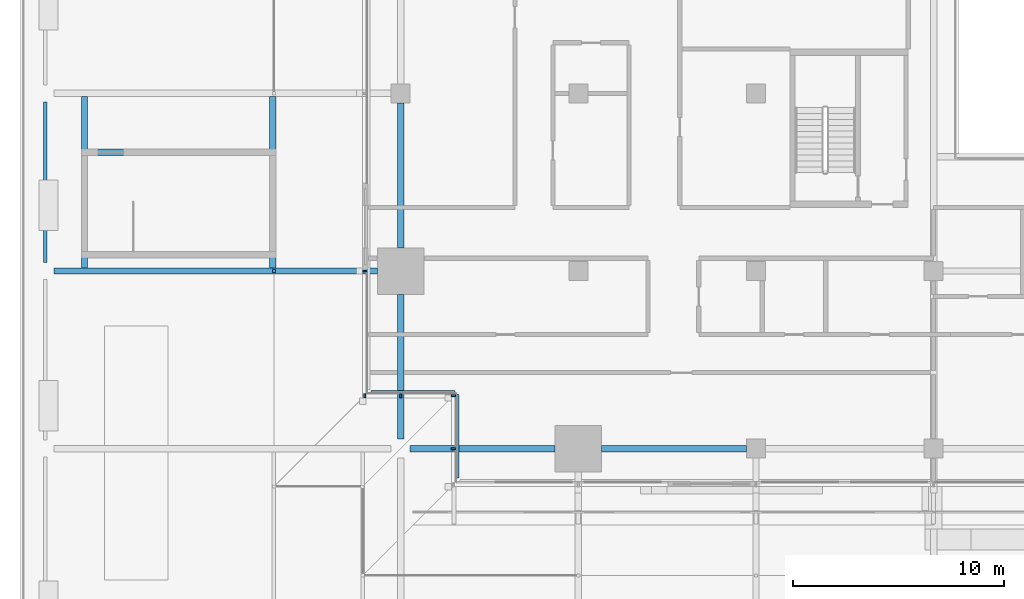
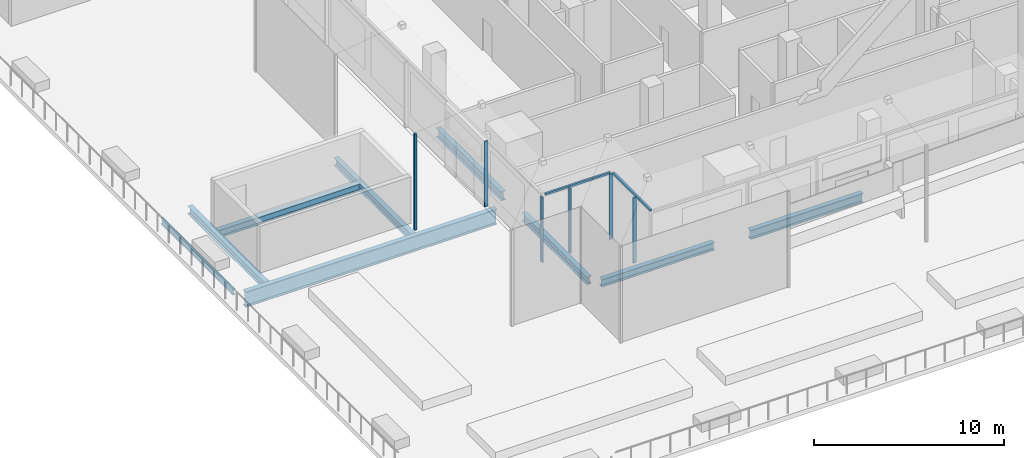
# One storey, part 3 of 60: 9 beams, 8 members, 3 elements without a shape of their own.
"""IFC4 building model written with IfcOpenShell, lengths in metres."""

from ifc_helpers import new_model, si_unit, direction, frame, origin, origin_2d, place, context, subcontext, project, spatial, rectangle, i_section, extrude, material, material_profile, profile_set, type_object, element, aggregate, save


model = new_model("IFC4")

# Units and contexts
model_context = context("Model", 3, precision=1e-05, world=origin(), true_north=direction((0.0, 1.0)))
body_context = subcontext(model_context, "Body", "Model", "MODEL_VIEW")
ifc_project = project(units=[si_unit("LENGTHUNIT", "METRE"), si_unit("AREAUNIT", "SQUARE_METRE"), si_unit("VOLUMEUNIT", "CUBIC_METRE"), si_unit("PLANEANGLEUNIT", "RADIAN"), si_unit("MASSUNIT", "GRAM", prefix="KILO")], contexts=[model_context])

# Site, building, storey
site_placement = place(None, origin())
site = spatial("IfcSite", under=ifc_project, at=site_placement, CompositionType="ELEMENT")
building_placement = place(site_placement, origin())
building = spatial("IfcBuilding", under=site, at=building_placement, Name="Saffron Gate Tower", CompositionType="ELEMENT")
storey_placement = place(building_placement, frame((0.0, 0.0, 19.199951171875)))
storey = spatial("IfcBuildingStorey", under=building, at=storey_placement, Name="L03", CompositionType="ELEMENT", Elevation=19.199951171875)

# Beams
ifc_material_1 = material(Name="Structural steel S355", Category="steel")
ifc_material_profile_1 = material_profile(ifc_material_1, i_section(OverallWidth=0.169921875, OverallDepth=0.360107421875, WebThickness=0.008056640625, FlangeThickness=0.0126953125, FilletRadius=0.01806640625, at=origin_2d()))
ifc_profile_set_1 = profile_set([ifc_material_profile_1], Name="Structural steel S355")
beam_type_1 = type_object("IfcBeamType", Name="B1 IPE 360", PredefinedType="BEAM", material=ifc_profile_set_1)
beam_1_placement = place(storey_placement, frame((33.0, 40.60009765625, -0.47998046875), z_axis=(0.0, 1.0, 0.0), x_axis=(-1.0, 0.0, 0.0)))
element("IfcBeam", 1, at=beam_1_placement, inside=storey, type_object=beam_type_1, Name="B1 PODIUM EDGE BEAM", PredefinedType="BEAM", context=body_context, shape_type="SweptSolid", body=[
    extrude(i_section(OverallWidth=0.169921875, OverallDepth=0.360107421875, WebThickness=0.008056640625, FlangeThickness=0.0126953125, FilletRadius=0.01806640625, at=origin_2d()), origin(), (0.0, 0.0, 1.0), 7.599853515625),
])
ifc_material_profile_2 = material_profile(ifc_material_1, i_section(OverallWidth=0.300048828125, OverallDepth=0.590087890625, WebThickness=0.012939453125, FlangeThickness=0.02490234375, FilletRadius=0.027099609375, at=origin_2d()))
ifc_profile_set_2 = profile_set([ifc_material_profile_2], Name="Structural steel S355")
beam_type_2 = type_object("IfcBeamType", Name="B14 HEA 600", PredefinedType="SPANDREL", material=ifc_profile_set_2)
for number, where, z_axis, x_axis, name in (
    (2, (49.800048828125, 41.300048828125, -0.594970703125), (0.0, 1.0, 0.0), (-1.0, 0.0, 0.0), "B14 SPANDREL BEAM"),
    (3, (59.300048828125, 31.800048828125, -0.594970703125), (1.0, 0.0, 0.0), (0.0, 1.0, 0.0), "B14 SPANDREL BEAM"),
):
    element("IfcBeam", number, at=place(storey_placement, frame(where, z_axis=z_axis, x_axis=x_axis)), inside=storey, type_object=beam_type_2, Name=name, PredefinedType="SPANDREL", context=body_context, shape_type="SweptSolid", body=[
        extrude(i_section(OverallWidth=0.300048828125, OverallDepth=0.590087890625, WebThickness=0.012939453125, FlangeThickness=0.02490234375, FilletRadius=0.027099609375, at=origin_2d()), origin(), (0.0, 0.0, 1.0), 6.849853515625),
    ])
ifc_material_profile_3 = material_profile(ifc_material_1, i_section(OverallWidth=0.300048828125, OverallDepth=0.989990234375, WebThickness=0.0166015625, FlangeThickness=0.031005859375, FilletRadius=0.030029296875, at=origin_2d()))
ifc_profile_set_3 = profile_set([ifc_material_profile_3], Name="Structural steel S355")
beam_type_3 = type_object("IfcBeamType", Name="B21 HEA 1000", PredefinedType="BEAM", material=ifc_profile_set_3)
beam_2_placement = place(storey_placement, frame((33.39990234375, 40.199951171875, -0.794921875), z_axis=(1.0, 0.0, 0.0), x_axis=(0.0, 1.0, 0.0)))
element("IfcBeam", 4, at=beam_2_placement, inside=storey, type_object=beam_type_3, Name="B21 PODIUM RING GIRDER", PredefinedType="BEAM", context=body_context, shape_type="SweptSolid", body=[
    extrude(i_section(OverallWidth=0.300048828125, OverallDepth=0.989990234375, WebThickness=0.0166015625, FlangeThickness=0.031005859375, FilletRadius=0.030029296875, at=origin_2d()), origin(), (0.0, 0.0, 1.0), 15.300048828125),
])
ifc_material_profile_4 = material_profile(ifc_material_1, i_section(OverallWidth=0.300048828125, OverallDepth=0.489990234375, WebThickness=0.011962890625, FlangeThickness=0.02294921875, FilletRadius=0.027099609375, at=origin_2d()))
ifc_profile_set_4 = profile_set([ifc_material_profile_4], Name="Structural steel S355")
beam_type_4 = type_object("IfcBeamType", Name="B8 HEA 500", PredefinedType="BEAM", material=ifc_profile_set_4)
for number, where, z_axis, x_axis, name in (
    (5, (50.25, 31.800048828125, -0.544921875), (1.0, 0.0, 0.0), (0.0, 1.0, 0.0), "B8 TERRACE BEAM"),
    (6, (49.800048828125, 32.25, -0.544921875), (0.0, 1.0, 0.0), (-1.0, 0.0, 0.0), "B8 TERRACE BEAM"),
):
    element("IfcBeam", number, at=place(storey_placement, frame(where, z_axis=z_axis, x_axis=x_axis)), inside=storey, type_object=beam_type_4, Name=name, PredefinedType="BEAM", context=body_context, shape_type="SweptSolid", body=[
        extrude(i_section(OverallWidth=0.300048828125, OverallDepth=0.489990234375, WebThickness=0.011962890625, FlangeThickness=0.02294921875, FilletRadius=0.027099609375, at=origin_2d()), origin(), (0.0, 0.0, 1.0), 6.85009765625),
    ])
ifc_material_profile_5 = material_profile(ifc_material_1, i_section(OverallWidth=0.300048828125, OverallDepth=0.5, WebThickness=0.014404296875, FlangeThickness=0.028076171875, FilletRadius=0.027099609375, at=origin_2d()))
ifc_profile_set_5 = profile_set([ifc_material_profile_5], Name="Structural steel S355")
beam_type_5 = type_object("IfcBeamType", Name="B9 HEB 500", PredefinedType="BEAM", material=ifc_profile_set_5)
for number, where, z_axis, x_axis, name in (
    (7, (34.85009765625, 40.340087890625, -0.550048828125), (0.0, 1.0, 0.0), (-1.0, 0.0, 0.0), "B9 STAIR ENCLOSURE HEADER BEAM"),
    (8, (43.75, 40.340087890625, -0.550048828125), (0.0, 1.0, 0.0), (-1.0, 0.0, 0.0), "B9 STAIR ENCLOSURE HEADER BEAM"),
):
    element("IfcBeam", number, at=place(storey_placement, frame(where, z_axis=z_axis, x_axis=x_axis)), inside=storey, type_object=beam_type_5, Name=name, PredefinedType="BEAM", context=body_context, shape_type="SweptSolid", body=[
        extrude(i_section(OverallWidth=0.300048828125, OverallDepth=0.5, WebThickness=0.014404296875, FlangeThickness=0.028076171875, FilletRadius=0.027099609375, at=origin_2d()), origin(), (0.0, 0.0, 1.0), 8.119873046875),
    ])
beam_3_placement = place(storey_placement, frame((34.989990234375, 45.824951171875, -0.550048828125), z_axis=(1.0, 0.0, 0.0), x_axis=(0.0, 1.0, 0.0)))
element("IfcBeam", 9, at=beam_3_placement, inside=storey, type_object=beam_type_5, Name="B9 STAIR ENCLOSURE TRIMMER BEAM", PredefinedType="BEAM", context=body_context, shape_type="SweptSolid", body=[
    extrude(i_section(OverallWidth=0.300048828125, OverallDepth=0.5, WebThickness=0.014404296875, FlangeThickness=0.028076171875, FilletRadius=0.027099609375, at=origin_2d()), origin(), (0.0, 0.0, 1.0), 8.6201171875),
])

# Curtain wall, member
ifc_material_2 = material(Name="Aluminium, bronze anodised", Category="aluminium")
curtain_wall_type = type_object("IfcCurtainWallType", Name="CWS6 curtain wall tall storeys", PredefinedType="NOTDEFINED", material=ifc_material_2)
curtain_wall_1_placement = place(storey_placement, origin())
curtain_wall_1 = element("IfcCurtainWall", 10, at=curtain_wall_1_placement, inside=storey, type_object=curtain_wall_type, Name="CWS6 run 11", PredefinedType="NOTDEFINED")
ifc_material_profile_6 = material_profile(ifc_material_2, rectangle(XDim=0.1201171875, YDim=0.1201171875, at=origin_2d()))
ifc_profile_set_6 = profile_set([ifc_material_profile_6], Name="Aluminium, bronze anodised")
member_type_1 = type_object("IfcMemberType", Name="CWS6 head transom", PredefinedType="USERDEFINED", material=ifc_profile_set_6)
member_1_placement = place(storey_placement, frame((48.407958984375, 34.488037109375, 4.14013671875), z_axis=(1.0, 0.0, 0.0), x_axis=(0.0, 1.0, 0.0)))
member_1 = element("IfcMember", 11, at=member_1_placement, type_object=member_type_1, Name="CWS6 head transom", ObjectType="TRANSOM", PredefinedType="USERDEFINED", context=body_context, shape_type="SweptSolid", body=[
    extrude(rectangle(XDim=0.1201171875, YDim=0.1201171875, at=origin_2d()), origin(), (0.0, 0.0, 1.0), 3.9599609375),
])

curtain_wall_2_placement = place(storey_placement, origin())
curtain_wall_2 = element("IfcCurtainWall", 12, at=curtain_wall_2_placement, inside=storey, type_object=curtain_wall_type, Name="CWS6 run 12", PredefinedType="NOTDEFINED")
member_2_placement = place(storey_placement, frame((52.488037109375, 34.367919921875, 4.14013671875), z_axis=(0.0, -1.0, 0.0), x_axis=(1.0, 0.0, 0.0)))
member_2 = element("IfcMember", 13, at=member_2_placement, type_object=member_type_1, Name="CWS6 head transom", ObjectType="TRANSOM", PredefinedType="USERDEFINED", context=body_context, shape_type="SweptSolid", body=[
    extrude(rectangle(XDim=0.1201171875, YDim=0.1201171875, at=origin_2d()), origin(), (0.0, 0.0, 1.0), 3.9599609375),
])

curtain_wall_3_placement = place(storey_placement, origin())
curtain_wall_3 = element("IfcCurtainWall", 14, at=curtain_wall_3_placement, inside=storey, type_object=curtain_wall_type, Name="CWS6 run 10", PredefinedType="NOTDEFINED")
ifc_material_profile_7 = material_profile(ifc_material_2, rectangle(XDim=0.199951171875, YDim=0.080078125, at=origin_2d()))
ifc_profile_set_7 = profile_set([ifc_material_profile_7], Name="Aluminium, bronze anodised")
member_type_2 = type_object("IfcMemberType", Name="CWS6 mullion 80x200", PredefinedType="MULLION", material=ifc_profile_set_7)
member_3_placement = place(storey_placement, frame((48.10009765625, 40.199951171875, 0.0), z_axis=(0.0, 0.0, 1.0), x_axis=(1.0, 0.0, 0.0)))
member_3 = element("IfcMember", 15, at=member_3_placement, type_object=member_type_2, Name="CWS6 mullion 5", PredefinedType="MULLION", context=body_context, shape_type="SweptSolid", body=[
    extrude(rectangle(XDim=0.199951171875, YDim=0.080078125, at=origin_2d()), origin(), (0.0, 0.0, 1.0), 4.199951171875),
])
aggregate(curtain_wall_3, [member_3])

# Member
member_4_placement = place(storey_placement, frame((48.10009765625, 34.300048828125, 0.0), z_axis=(0.0, 0.0, 1.0), x_axis=(0.0, 1.0, 0.0)))
member_4 = element("IfcMember", 16, at=member_4_placement, type_object=member_type_2, Name="CWS6 mullion 1", PredefinedType="MULLION", context=body_context, shape_type="SweptSolid", body=[
    extrude(rectangle(XDim=0.199951171875, YDim=0.080078125, at=origin_2d()), origin(), (0.0, 0.0, 1.0), 4.199951171875),
])

member_5_placement = place(storey_placement, frame((49.800048828125, 34.300048828125, 0.0), z_axis=(0.0, 0.0, 1.0), x_axis=(0.0, 1.0, 0.0)))
member_5 = element("IfcMember", 17, at=member_5_placement, type_object=member_type_2, Name="CWS6 mullion 2", PredefinedType="MULLION", context=body_context, shape_type="SweptSolid", body=[
    extrude(rectangle(XDim=0.199951171875, YDim=0.080078125, at=origin_2d()), origin(), (0.0, 0.0, 1.0), 4.199951171875),
])

aggregate(curtain_wall_1, [member_4, member_5, member_1])

member_6_placement = place(storey_placement, frame((52.300048828125, 34.300048828125, 0.0), z_axis=(0.0, 0.0, 1.0), x_axis=(1.0, 0.0, 0.0)))
member_6 = element("IfcMember", 18, at=member_6_placement, type_object=member_type_2, Name="CWS6 mullion 1", PredefinedType="MULLION", context=body_context, shape_type="SweptSolid", body=[
    extrude(rectangle(XDim=0.199951171875, YDim=0.080078125, at=origin_2d()), origin(), (0.0, 0.0, 1.0), 4.199951171875),
])

member_7_placement = place(storey_placement, frame((52.300048828125, 31.800048828125, 0.0), z_axis=(0.0, 0.0, 1.0), x_axis=(1.0, 0.0, 0.0)))
member_7 = element("IfcMember", 19, at=member_7_placement, type_object=member_type_2, Name="CWS6 mullion 2", PredefinedType="MULLION", context=body_context, shape_type="SweptSolid", body=[
    extrude(rectangle(XDim=0.199951171875, YDim=0.080078125, at=origin_2d()), origin(), (0.0, 0.0, 1.0), 4.199951171875),
])

aggregate(curtain_wall_2, [member_6, member_7, member_2])

ifc_material_profile_8 = material_profile(ifc_material_1, rectangle(XDim=0.139892578125, YDim=0.139892578125, at=origin_2d()))
ifc_profile_set_8 = profile_set([ifc_material_profile_8], Name="Structural steel S355")
member_type_3 = type_object("IfcMemberType", Name="HL1 hall post", PredefinedType="POST", material=ifc_profile_set_8)
member_8_placement = place(storey_placement, frame((43.800048828125, 40.199951171875, 0.0), z_axis=(0.0, 0.0, 1.0), x_axis=(1.0, 0.0, 0.0)))
element("IfcMember", 20, at=member_8_placement, inside=storey, type_object=member_type_3, Name="HALL POST", PredefinedType="POST", context=body_context, shape_type="SweptSolid", body=[
    extrude(rectangle(XDim=0.139892578125, YDim=0.139892578125, at=origin_2d()), origin(), (0.0, 0.0, 1.0), 6.18994140625),
])

save(model, "model.ifc")
